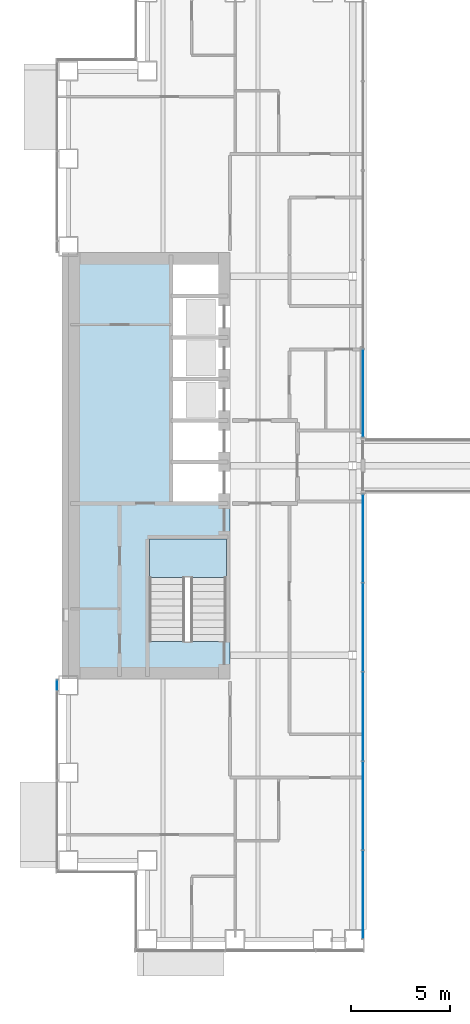
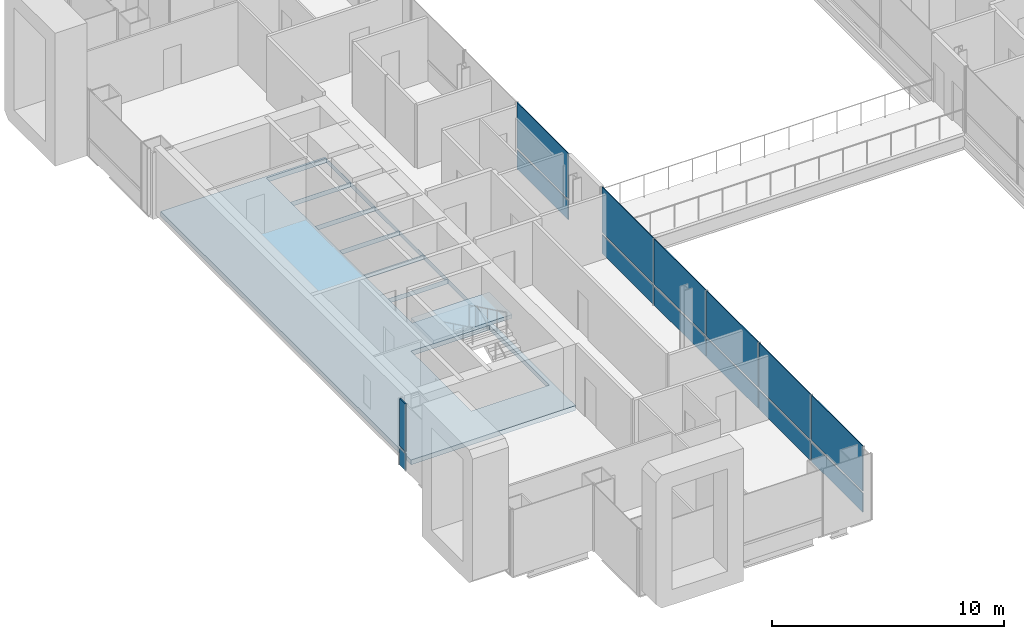
# One storey, part 9 of 21: 14 plates, 2 slabs, 4 elements without a shape of their own.
"""IFC4 building model written with IfcOpenShell, lengths in metres."""

from ifc_helpers import new_model, si_unit, direction, frame, origin, origin_2d, place, context, subcontext, project, spatial, polyline, rectangle, outline, extrude, material, layer, layer_set, type_object, element, aggregate, save


model = new_model("IFC4")

# Units and contexts
model_context = context("Model", 3, precision=1e-05, world=origin(), true_north=direction((0.0, 1.0)))
body_context = subcontext(model_context, "Body", "Model", "MODEL_VIEW")
ifc_project = project(units=[si_unit("LENGTHUNIT", "METRE"), si_unit("AREAUNIT", "SQUARE_METRE"), si_unit("VOLUMEUNIT", "CUBIC_METRE"), si_unit("PLANEANGLEUNIT", "RADIAN"), si_unit("MASSUNIT", "GRAM", prefix="KILO")], contexts=[model_context])

# Site, building, storey
site_placement = place(None, origin())
site = spatial("IfcSite", under=ifc_project, at=site_placement, CompositionType="ELEMENT")
building_placement = place(site_placement, origin())
building = spatial("IfcBuilding", under=site, at=building_placement, Name="Cobrizo Arcos Hotel Tower", CompositionType="ELEMENT")
storey_placement = place(building_placement, frame((0.0, 0.0, 74.0)))
storey = spatial("IfcBuildingStorey", under=building, at=storey_placement, Name="L17", CompositionType="ELEMENT", Elevation=74.0)

# Curtain wall, plates
ifc_material_1 = material(Name="Aluminium 6063-T6 anodised bronze", Category="aluminium")
curtain_wall_type_1 = type_object("IfcCurtainWallType", Name="CW-A guest facade", PredefinedType="NOTDEFINED", material=ifc_material_1)
curtain_wall_1_placement = place(storey_placement, origin())
curtain_wall_1 = element("IfcCurtainWall", 1, at=curtain_wall_1_placement, inside=storey, type_object=curtain_wall_type_1, Name="CW-A L17 W face", PredefinedType="NOTDEFINED")
ifc_material_2 = material(Name="Glass clear laminated low-e", Category="glass")
ifc_layer_1 = layer(ifc_material_2, 0.0400390625)
ifc_layer_set_1 = layer_set([ifc_layer_1], Name="CW-A glass panel")
plate_type_1 = type_object("IfcPlateType", Name="CW-A glass panel", PredefinedType="CURTAIN_PANEL", material=ifc_layer_set_1)
plate_1_placement = place(storey_placement, frame((-24.574951171875, -11.109375, 0.990234375), z_axis=(0.0, 0.0, 1.0), x_axis=(0.0, -1.0, 0.0)))
plate_1 = element("IfcPlate", 2, at=plate_1_placement, type_object=plate_type_1, Name="CW-A glass panel 744", PredefinedType="CURTAIN_PANEL", context=body_context, shape_type="SweptSolid", body=[
    extrude(rectangle(XDim=0.498779296875, YDim=0.0400390625, at=origin_2d()), origin(), (0.0, 0.0, 1.0), 2.510009765625),
])
ifc_material_3 = material(Name="Aluminium composite panel pale metal", Category="aluminium")
ifc_layer_2 = layer(ifc_material_3, 0.0400390625)
ifc_layer_set_2 = layer_set([ifc_layer_2], Name="CW-A spandrel panel")
plate_type_2 = type_object("IfcPlateType", Name="CW-A spandrel panel", PredefinedType="CURTAIN_PANEL", material=ifc_layer_set_2)
plate_2_placement = place(storey_placement, frame((-24.574951171875, -11.109375, 0.0), z_axis=(0.0, 0.0, 1.0), x_axis=(0.0, -1.0, 0.0)))
plate_2 = element("IfcPlate", 3, at=plate_2_placement, type_object=plate_type_2, Name="CW-A spandrel panel 744", PredefinedType="CURTAIN_PANEL", context=body_context, shape_type="SweptSolid", body=[
    extrude(rectangle(XDim=0.498779296875, YDim=0.0400390625, at=origin_2d()), origin(), (0.0, 0.0, 1.0), 0.8701171875),
])
aggregate(curtain_wall_1, [plate_2, plate_1])

curtain_wall_type_2 = type_object("IfcCurtainWallType", Name="CW-F void screen", PredefinedType="NOTDEFINED", material=ifc_material_1)
curtain_wall_2_placement = place(storey_placement, origin())
curtain_wall_2 = element("IfcCurtainWall", 4, at=curtain_wall_2_placement, inside=storey, type_object=curtain_wall_type_2, Name="CW-F L17 void screen A", PredefinedType="NOTDEFINED")
ifc_layer_3 = layer(ifc_material_2, 0.0400390625)
ifc_layer_set_3 = layer_set([ifc_layer_3], Name="CW-F glass panel")
plate_type_3 = type_object("IfcPlateType", Name="CW-F glass panel", PredefinedType="CURTAIN_PANEL", material=ifc_layer_set_3)
plate_3_placement = place(storey_placement, frame((-9.074951171875, 3.675048828125, 0.0), z_axis=(0.0, 0.0, 1.0), x_axis=(0.0, -1.0, 0.0)))
plate_3 = element("IfcPlate", 5, at=plate_3_placement, type_object=plate_type_3, Name="CW-F glass panel 2522", PredefinedType="CURTAIN_PANEL", context=body_context, shape_type="SweptSolid", body=[
    extrude(rectangle(XDim=4.429931640625, YDim=0.0400390625, at=origin_2d()), origin(), (0.0, 0.0, 1.0), 0.989990234375),
])
plate_4_placement = place(storey_placement, frame((-9.074951171875, 3.675048828125, 1.10986328125), z_axis=(0.0, 0.0, 1.0), x_axis=(0.0, -1.0, 0.0)))
plate_4 = element("IfcPlate", 6, at=plate_4_placement, type_object=plate_type_3, Name="CW-F glass panel 2522", PredefinedType="CURTAIN_PANEL", context=body_context, shape_type="SweptSolid", body=[
    extrude(rectangle(XDim=4.429931640625, YDim=0.0400390625, at=origin_2d()), origin(), (0.0, 0.0, 1.0), 2.389892578125),
])
aggregate(curtain_wall_2, [plate_3, plate_4])

curtain_wall_3_placement = place(storey_placement, origin())
curtain_wall_3 = element("IfcCurtainWall", 7, at=curtain_wall_3_placement, inside=storey, type_object=curtain_wall_type_2, Name="CW-F L17 void screen A", PredefinedType="NOTDEFINED")
plate_5_placement = place(storey_placement, frame((-9.074951171875, -3.675048828125, 0.0), z_axis=(0.0, 0.0, 1.0), x_axis=(0.0, -1.0, 0.0)))
plate_5 = element("IfcPlate", 8, at=plate_5_placement, type_object=plate_type_3, Name="CW-F glass panel 2523", PredefinedType="CURTAIN_PANEL", context=body_context, shape_type="SweptSolid", body=[
    extrude(rectangle(XDim=4.429931640625, YDim=0.0400390625, at=origin_2d()), origin(), (0.0, 0.0, 1.0), 0.989990234375),
])
plate_6_placement = place(storey_placement, frame((-9.074951171875, -3.675048828125, 1.10986328125), z_axis=(0.0, 0.0, 1.0), x_axis=(0.0, -1.0, 0.0)))
plate_6 = element("IfcPlate", 9, at=plate_6_placement, type_object=plate_type_3, Name="CW-F glass panel 2523", PredefinedType="CURTAIN_PANEL", context=body_context, shape_type="SweptSolid", body=[
    extrude(rectangle(XDim=4.429931640625, YDim=0.0400390625, at=origin_2d()), origin(), (0.0, 0.0, 1.0), 2.389892578125),
])
plate_7_placement = place(storey_placement, frame((-9.074951171875, -8.179931640625, 0.0), z_axis=(0.0, 0.0, 1.0), x_axis=(0.0, -1.0, 0.0)))
plate_7 = element("IfcPlate", 10, at=plate_7_placement, type_object=plate_type_3, Name="CW-F glass panel 2524", PredefinedType="CURTAIN_PANEL", context=body_context, shape_type="SweptSolid", body=[
    extrude(rectangle(XDim=4.4599609375, YDim=0.0400390625, at=origin_2d()), origin(), (0.0, 0.0, 1.0), 0.989990234375),
])
plate_8_placement = place(storey_placement, frame((-9.074951171875, -8.179931640625, 1.10986328125), z_axis=(0.0, 0.0, 1.0), x_axis=(0.0, -1.0, 0.0)))
plate_8 = element("IfcPlate", 11, at=plate_8_placement, type_object=plate_type_3, Name="CW-F glass panel 2524", PredefinedType="CURTAIN_PANEL", context=body_context, shape_type="SweptSolid", body=[
    extrude(rectangle(XDim=4.4599609375, YDim=0.0400390625, at=origin_2d()), origin(), (0.0, 0.0, 1.0), 2.389892578125),
])
plate_9_placement = place(storey_placement, frame((-9.074951171875, -12.699951171875, 0.0), z_axis=(0.0, 0.0, 1.0), x_axis=(0.0, -1.0, 0.0)))
plate_9 = element("IfcPlate", 12, at=plate_9_placement, type_object=plate_type_3, Name="CW-F glass panel 2525", PredefinedType="CURTAIN_PANEL", context=body_context, shape_type="SweptSolid", body=[
    extrude(rectangle(XDim=4.4599609375, YDim=0.0400390625, at=origin_2d()), origin(), (0.0, 0.0, 1.0), 0.989990234375),
])
plate_10_placement = place(storey_placement, frame((-9.074951171875, -12.699951171875, 1.10986328125), z_axis=(0.0, 0.0, 1.0), x_axis=(0.0, -1.0, 0.0)))
plate_10 = element("IfcPlate", 13, at=plate_10_placement, type_object=plate_type_3, Name="CW-F glass panel 2525", PredefinedType="CURTAIN_PANEL", context=body_context, shape_type="SweptSolid", body=[
    extrude(rectangle(XDim=4.4599609375, YDim=0.0400390625, at=origin_2d()), origin(), (0.0, 0.0, 1.0), 2.389892578125),
])
plate_11_placement = place(storey_placement, frame((-9.074951171875, -17.219970703125, 0.0), z_axis=(0.0, 0.0, 1.0), x_axis=(0.0, -1.0, 0.0)))
plate_11 = element("IfcPlate", 14, at=plate_11_placement, type_object=plate_type_3, Name="CW-F glass panel 2526", PredefinedType="CURTAIN_PANEL", context=body_context, shape_type="SweptSolid", body=[
    extrude(rectangle(XDim=4.4599609375, YDim=0.0400390625, at=origin_2d()), origin(), (0.0, 0.0, 1.0), 0.989990234375),
])
plate_12_placement = place(storey_placement, frame((-9.074951171875, -17.219970703125, 1.10986328125), z_axis=(0.0, 0.0, 1.0), x_axis=(0.0, -1.0, 0.0)))
plate_12 = element("IfcPlate", 15, at=plate_12_placement, type_object=plate_type_3, Name="CW-F glass panel 2526", PredefinedType="CURTAIN_PANEL", context=body_context, shape_type="SweptSolid", body=[
    extrude(rectangle(XDim=4.4599609375, YDim=0.0400390625, at=origin_2d()), origin(), (0.0, 0.0, 1.0), 2.389892578125),
])
plate_13_placement = place(storey_placement, frame((-9.074951171875, -21.72509765625, 0.0), z_axis=(0.0, 0.0, 1.0), x_axis=(0.0, -1.0, 0.0)))
plate_13 = element("IfcPlate", 16, at=plate_13_placement, type_object=plate_type_3, Name="CW-F glass panel 2527", PredefinedType="CURTAIN_PANEL", context=body_context, shape_type="SweptSolid", body=[
    extrude(rectangle(XDim=4.429931640625, YDim=0.0400390625, at=origin_2d()), origin(), (0.0, 0.0, 1.0), 0.989990234375),
])
plate_14_placement = place(storey_placement, frame((-9.074951171875, -21.72509765625, 1.10986328125), z_axis=(0.0, 0.0, 1.0), x_axis=(0.0, -1.0, 0.0)))
plate_14 = element("IfcPlate", 17, at=plate_14_placement, type_object=plate_type_3, Name="CW-F glass panel 2527", PredefinedType="CURTAIN_PANEL", context=body_context, shape_type="SweptSolid", body=[
    extrude(rectangle(XDim=4.429931640625, YDim=0.0400390625, at=origin_2d()), origin(), (0.0, 0.0, 1.0), 2.389892578125),
])
aggregate(curtain_wall_3, [plate_5, plate_6, plate_7, plate_8, plate_9, plate_10, plate_11, plate_12, plate_13, plate_14])

# Slab
ifc_material_4 = material(Name="Concrete f'c 60 MPa", Category="concrete")
ifc_layer_4 = layer(ifc_material_4, 0.25)
ifc_layer_set_4 = layer_set([ifc_layer_4], Name="RC core floor slab 250 f'c 60")
slab_type_1 = type_object("IfcSlabType", Name="RC core floor slab 250 f'c 60", PredefinedType="FLOOR", material=ifc_layer_set_4)
slab_1_placement = place(storey_placement, frame((0.0, 0.0, -0.25)))
element("IfcSlab", 18, at=slab_1_placement, inside=storey, type_object=slab_type_1, Name="Core floor slab CS3, west core, L17", PredefinedType="FLOOR", context=body_context, shape_type="SweptSolid", body=[
    extrude(outline(polyline([(-24.0, 10.800048828125), (-15.800048828125, 10.800048828125), (-15.800048828125, -10.800048828125), (-24.0, -10.800048828125), (-24.0, 10.800048828125)]), holes=[polyline([(-19.89794921875, -3.701904296875), (-19.89794921875, -8.89794921875), (-16.001953125, -8.89794921875), (-16.001953125, -3.701904296875), (-19.89794921875, -3.701904296875)]), polyline([(-18.798095703125, 0.197998046875), (-18.798095703125, -1.89794921875), (-15.802001953125, -1.89794921875), (-15.802001953125, 0.197998046875), (-18.798095703125, 0.197998046875)]), polyline([(-15.802001953125, 2.298095703125), (-18.798095703125, 2.298095703125), (-18.798095703125, 0.201904296875), (-15.802001953125, 0.201904296875), (-15.802001953125, 2.298095703125)]), polyline([(-15.802001953125, 4.39794921875), (-18.798095703125, 4.39794921875), (-18.798095703125, 2.302001953125), (-15.802001953125, 2.302001953125), (-15.802001953125, 4.39794921875)]), polyline([(-18.798095703125, 6.498046875), (-18.798095703125, 4.402099609375), (-15.802001953125, 4.402099609375), (-15.802001953125, 6.498046875), (-18.798095703125, 6.498046875)]), polyline([(-15.802001953125, 8.597900390625), (-18.798095703125, 8.597900390625), (-18.798095703125, 6.501953125), (-15.802001953125, 6.501953125), (-15.802001953125, 8.597900390625)]), polyline([(-15.802001953125, 10.697998046875), (-18.798095703125, 10.697998046875), (-18.798095703125, 8.60205078125), (-15.802001953125, 8.60205078125), (-15.802001953125, 10.697998046875)])]), origin(), (0.0, 0.0, 1.0), 0.25),
])

# Stair, slab
ifc_material_5 = material(Name="Concrete f'c 40 MPa", Category="concrete")
stair_type = type_object("IfcStairType", Name="Exit stair", PredefinedType="HALF_TURN_STAIR", material=ifc_material_5)
stair_placement = place(storey_placement, origin())
stair = element("IfcStair", 19, at=stair_placement, inside=storey, type_object=stair_type, Name="L17 Exit stair ST-W", PredefinedType="HALF_TURN_STAIR")
ifc_layer_5 = layer(ifc_material_5, 0.199951171875)
ifc_layer_set_5 = layer_set([ifc_layer_5], Name="Stair landing")
slab_type_2 = type_object("IfcSlabType", Name="Stair landing", PredefinedType="LANDING", material=ifc_layer_set_5)
slab_2_placement = place(storey_placement, frame((0.0, 0.0, 1.550048828125)))
slab_2 = element("IfcSlab", 20, at=slab_2_placement, type_object=slab_type_2, Name="ST-W landing 1", PredefinedType="LANDING", context=body_context, shape_type="SweptSolid", body=[
    extrude(outline(polyline([(-16.0, -5.659912109375), (-16.0, -3.699951171875), (-19.89990234375, -3.699951171875), (-19.89990234375, -5.659912109375), (-16.0, -5.659912109375)])), origin(), (0.0, 0.0, 1.0), 0.199951171875),
])
aggregate(stair, [slab_2])

save(model, "model.ifc")
